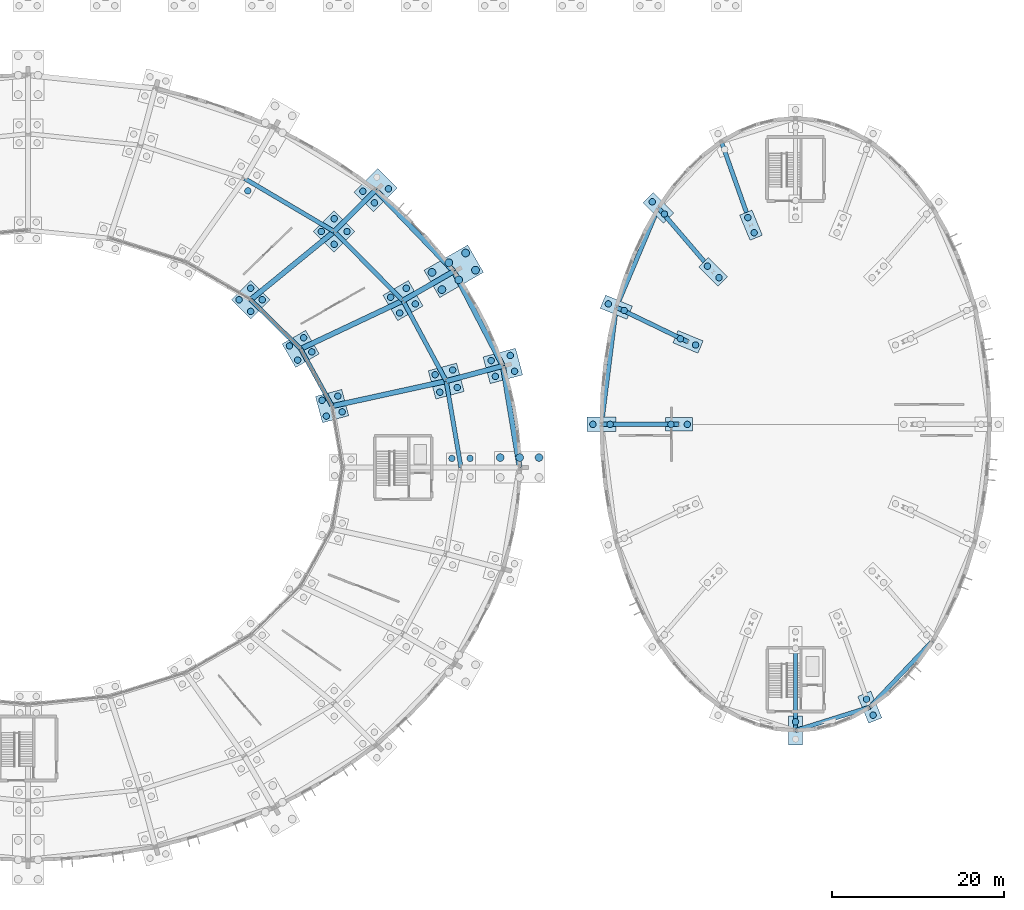
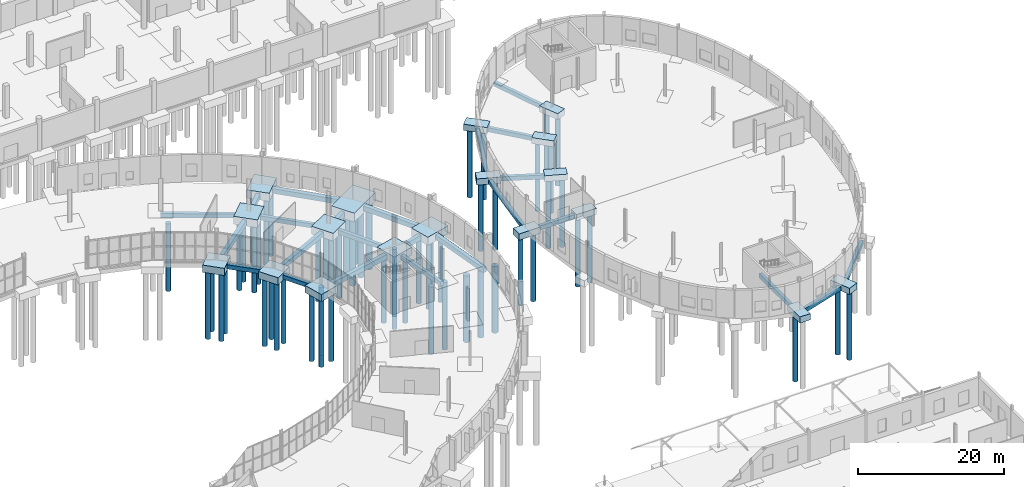
# One storey, part 8 of 118: 60 piles, 42 footings.
"""IFC4 building model written with IfcOpenShell, lengths in metres."""

from ifc_helpers import new_model, si_unit, direction, frame, origin, origin_2d, place, context, subcontext, project, spatial, rectangle, circle, extrude, material, material_profile, profile_set, type_object, element, save


model = new_model("IFC4")

# Units and contexts
model_context = context("Model", 3, precision=1e-05, world=origin(), true_north=direction((0.0, 1.0)))
body_context = subcontext(model_context, "Body", "Model", "MODEL_VIEW")
ifc_project = project(units=[si_unit("LENGTHUNIT", "METRE"), si_unit("AREAUNIT", "SQUARE_METRE"), si_unit("VOLUMEUNIT", "CUBIC_METRE"), si_unit("PLANEANGLEUNIT", "RADIAN"), si_unit("MASSUNIT", "GRAM", prefix="KILO")], contexts=[model_context])

# Site, building, storey
site_placement = place(None, origin())
site = spatial("IfcSite", under=ifc_project, at=site_placement, CompositionType="ELEMENT")
building_placement = place(site_placement, origin())
building = spatial("IfcBuilding", under=site, at=building_placement, Name="Kildeholm Park Wholesale Market", CompositionType="ELEMENT")
storey_placement = place(building_placement, origin())
storey = spatial("IfcBuildingStorey", under=building, at=storey_placement, Name="L00", CompositionType="ELEMENT", Elevation=0.0)

# Piles
ifc_material = material(Name="Concrete C35/45", Category="concrete")
ifc_material_profile_1 = material_profile(ifc_material, circle(Radius=0.375, at=origin_2d()), Name="PILE D750")
ifc_profile_set_1 = profile_set([ifc_material_profile_1], Name="Concrete C35/45")
pile_type_1 = type_object("IfcPileType", Name="Bored pile 750 mm", PredefinedType="BORED", material=ifc_profile_set_1)
for number, where, z_axis, x_axis, name in (
    (1, (148.14990234375, 90.550048828125, -1.199951171875), (0.0, 0.0, -1.0), (1.0, 0.0, 0.0), "Bored pile V1-MD-00.3 PIL-0007"),
    (2, (150.25, 90.550048828125, -1.199951171875), (0.0, 0.0, -1.0), (1.0, 0.0, 0.0), "Bored pile V1-MD-00.4 PIL-0008"),
):
    element("IfcPile", number, at=place(storey_placement, frame(where, z_axis=z_axis, x_axis=x_axis)), inside=storey, type_object=pile_type_1, Name=name, PredefinedType="BORED", context=body_context, shape_type="SweptSolid", body=[
        extrude(circle(Radius=0.375, at=origin_2d()), origin(), (0.0, 0.0, 1.0), 11.300048828125),
    ])
for number, where, z_axis, x_axis, name in (
    (3, (133.584228515625, 95.45458984375, -1.10009765625), (0.0, 0.0, -1.0), (1.0, 0.0, 0.0), "Bored pile V1-IN-01.1 PIL-0015"),
    (4, (135.41943359375, 95.9462890625, -1.10009765625), (0.0, 0.0, -1.0), (1.0, 0.0, 0.0), "Bored pile V1-IN-01.2 PIL-0016"),
    (5, (133.092529296875, 97.289794921875, -1.10009765625), (0.0, 0.0, -1.0), (1.0, 0.0, 0.0), "Bored pile V1-IN-01.3 PIL-0017"),
    (6, (134.927734375, 97.781494140625, -1.10009765625), (0.0, 0.0, -1.0), (1.0, 0.0, 0.0), "Bored pile V1-IN-01.4 PIL-0018"),
):
    element("IfcPile", number, at=place(storey_placement, frame(where, z_axis=z_axis, x_axis=x_axis)), inside=storey, type_object=pile_type_1, Name=name, PredefinedType="BORED", context=body_context, shape_type="SweptSolid", body=[
        extrude(circle(Radius=0.375, at=origin_2d()), origin(), (0.0, 0.0, 1.0), 11.39990234375),
    ])
for number, where, z_axis, x_axis, name in (
    (7, (146.74658203125, 98.22998046875, -1.199951171875), (0.0, 0.0, -1.0), (1.0, 0.0, 0.0), "Bored pile V1-MD-01.1 PIL-0019"),
    (8, (148.77490234375, 98.7734375, -1.199951171875), (0.0, 0.0, -1.0), (1.0, 0.0, 0.0), "Bored pile V1-MD-01.2 PIL-0020"),
    (9, (146.202880859375, 100.258544921875, -1.199951171875), (0.0, 0.0, -1.0), (1.0, 0.0, 0.0), "Bored pile V1-MD-01.3 PIL-0021"),
    (10, (148.2314453125, 100.802001953125, -1.199951171875), (0.0, 0.0, -1.0), (1.0, 0.0, 0.0), "Bored pile V1-MD-01.4 PIL-0022"),
):
    element("IfcPile", number, at=place(storey_placement, frame(where, z_axis=z_axis, x_axis=x_axis)), inside=storey, type_object=pile_type_1, Name=name, PredefinedType="BORED", context=body_context, shape_type="SweptSolid", body=[
        extrude(circle(Radius=0.375, at=origin_2d()), origin(), (0.0, 0.0, 1.0), 11.300048828125),
    ])
for number, where, z_axis, x_axis, name in (
    (11, (153.193115234375, 100.060791015625, -1.25), (0.0, 0.0, -1.0), (1.0, 0.0, 0.0), "Bored pile V1-OT-01.1 PIL-0023"),
    (12, (155.414794921875, 100.656005859375, -1.25), (0.0, 0.0, -1.0), (1.0, 0.0, 0.0), "Bored pile V1-OT-01.2 PIL-0024"),
    (13, (152.701416015625, 101.89599609375, -1.25), (0.0, 0.0, -1.0), (1.0, 0.0, 0.0), "Bored pile V1-OT-01.3 PIL-0025"),
    (14, (154.9228515625, 102.4912109375, -1.25), (0.0, 0.0, -1.0), (1.0, 0.0, 0.0), "Bored pile V1-OT-01.4 PIL-0026"),
):
    element("IfcPile", number, at=place(storey_placement, frame(where, z_axis=z_axis, x_axis=x_axis)), inside=storey, type_object=pile_type_1, Name=name, PredefinedType="BORED", context=body_context, shape_type="SweptSolid", body=[
        extrude(circle(Radius=0.375, at=origin_2d()), origin(), (0.0, 0.0, 1.0), 11.25),
    ])
for number, where, z_axis, x_axis, name in (
    (15, (130.26220703125, 101.952392578125, -1.10009765625), (0.0, 0.0, -1.0), (1.0, 0.0, 0.0), "Bored pile V1-IN-02.1 PIL-0027"),
    (16, (131.90771484375, 102.90234375, -1.10009765625), (0.0, 0.0, -1.0), (1.0, 0.0, 0.0), "Bored pile V1-IN-02.2 PIL-0028"),
    (17, (129.312255859375, 103.59765625, -1.10009765625), (0.0, 0.0, -1.0), (1.0, 0.0, 0.0), "Bored pile V1-IN-02.3 PIL-0029"),
    (18, (130.957763671875, 104.547607421875, -1.10009765625), (0.0, 0.0, -1.0), (1.0, 0.0, 0.0), "Bored pile V1-IN-02.4 PIL-0030"),
):
    element("IfcPile", number, at=place(storey_placement, frame(where, z_axis=z_axis, x_axis=x_axis)), inside=storey, type_object=pile_type_1, Name=name, PredefinedType="BORED", context=body_context, shape_type="SweptSolid", body=[
        extrude(circle(Radius=0.375, at=origin_2d()), origin(), (0.0, 0.0, 1.0), 11.39990234375),
    ])
for number, where, z_axis, x_axis, name in (
    (19, (142.089599609375, 107.415771484375, -1.199951171875), (0.0, 0.0, -1.0), (1.0, 0.0, 0.0), "Bored pile V1-MD-02.1 PIL-0031"),
    (20, (143.908203125, 108.4658203125, -1.199951171875), (0.0, 0.0, -1.0), (1.0, 0.0, 0.0), "Bored pile V1-MD-02.2 PIL-0032"),
    (21, (141.039794921875, 109.234375, -1.199951171875), (0.0, 0.0, -1.0), (1.0, 0.0, 0.0), "Bored pile V1-MD-02.3 PIL-0033"),
    (22, (142.8583984375, 110.2841796875, -1.199951171875), (0.0, 0.0, -1.0), (1.0, 0.0, 0.0), "Bored pile V1-MD-02.4 PIL-0034"),
):
    element("IfcPile", number, at=place(storey_placement, frame(where, z_axis=z_axis, x_axis=x_axis)), inside=storey, type_object=pile_type_1, Name=name, PredefinedType="BORED", context=body_context, shape_type="SweptSolid", body=[
        extrude(circle(Radius=0.375, at=origin_2d()), origin(), (0.0, 0.0, 1.0), 11.300048828125),
    ])
for number, where, z_axis, x_axis, name in (
    (23, (124.80908203125, 107.6015625, -1.10009765625), (0.0, 0.0, -1.0), (1.0, 0.0, 0.0), "Bored pile V1-IN-03.1 PIL-0041"),
    (24, (126.152587890625, 108.945068359375, -1.10009765625), (0.0, 0.0, -1.0), (1.0, 0.0, 0.0), "Bored pile V1-IN-03.2 PIL-0042"),
    (25, (123.465576171875, 108.945068359375, -1.10009765625), (0.0, 0.0, -1.0), (1.0, 0.0, 0.0), "Bored pile V1-IN-03.3 PIL-0043"),
    (26, (124.80908203125, 110.28857421875, -1.10009765625), (0.0, 0.0, -1.0), (1.0, 0.0, 0.0), "Bored pile V1-IN-03.4 PIL-0044"),
):
    element("IfcPile", number, at=place(storey_placement, frame(where, z_axis=z_axis, x_axis=x_axis)), inside=storey, type_object=pile_type_1, Name=name, PredefinedType="BORED", context=body_context, shape_type="SweptSolid", body=[
        extrude(circle(Radius=0.375, at=origin_2d()), origin(), (0.0, 0.0, 1.0), 11.39990234375),
    ])
for number, where, z_axis, x_axis, name in (
    (27, (134.4970703125, 115.380126953125, -1.199951171875), (0.0, 0.0, -1.0), (1.0, 0.0, 0.0), "Bored pile V1-MD-03.1 PIL-0045"),
    (28, (135.98193359375, 116.864990234375, -1.199951171875), (0.0, 0.0, -1.0), (1.0, 0.0, 0.0), "Bored pile V1-MD-03.2 PIL-0046"),
    (29, (133.01220703125, 116.864990234375, -1.199951171875), (0.0, 0.0, -1.0), (1.0, 0.0, 0.0), "Bored pile V1-MD-03.3 PIL-0047"),
    (30, (134.4970703125, 118.349853515625, -1.199951171875), (0.0, 0.0, -1.0), (1.0, 0.0, 0.0), "Bored pile V1-MD-03.4 PIL-0048"),
):
    element("IfcPile", number, at=place(storey_placement, frame(where, z_axis=z_axis, x_axis=x_axis)), inside=storey, type_object=pile_type_1, Name=name, PredefinedType="BORED", context=body_context, shape_type="SweptSolid", body=[
        extrude(circle(Radius=0.375, at=origin_2d()), origin(), (0.0, 0.0, 1.0), 11.300048828125),
    ])
for number, where, z_axis, x_axis, name in (
    (31, (139.16357421875, 120.18798828125, -1.25), (0.0, 0.0, -1.0), (1.0, 0.0, 0.0), "Bored pile V1-OT-03.1 PIL-0049"),
    (32, (140.789794921875, 121.814453125, -1.25), (0.0, 0.0, -1.0), (1.0, 0.0, 0.0), "Bored pile V1-OT-03.2 PIL-0050"),
    (33, (137.820068359375, 121.531494140625, -1.25), (0.0, 0.0, -1.0), (1.0, 0.0, 0.0), "Bored pile V1-OT-03.3 PIL-0051"),
):
    element("IfcPile", number, at=place(storey_placement, frame(where, z_axis=z_axis, x_axis=x_axis)), inside=storey, type_object=pile_type_1, Name=name, PredefinedType="BORED", context=body_context, shape_type="SweptSolid", body=[
        extrude(circle(Radius=0.375, at=origin_2d()), origin(), (0.0, 0.0, 1.0), 11.25),
    ])
pile_placement = place(storey_placement, frame((124.484375, 121.580810546875, -1.199951171875), z_axis=(0.0, 0.0, -1.0), x_axis=(1.0, 0.0, 0.0)))
element("IfcPile", 34, at=pile_placement, inside=storey, type_object=pile_type_1, Name="Bored pile V1-MD-04.1 PIL-0057", PredefinedType="BORED", context=body_context, shape_type="SweptSolid", body=[
    extrude(circle(Radius=0.375, at=origin_2d()), origin(), (0.0, 0.0, 1.0), 11.300048828125),
])
for number, where, z_axis, x_axis, name in (
    (35, (183.197509765625, 116.71923828125, -0.89990234375), (0.0, 0.0, -1.0), (1.0, 0.0, 0.0), "Bored pile V2-IN-05.1 PIL-0333"),
    (36, (182.470458984375, 118.474609375, -0.89990234375), (0.0, 0.0, -1.0), (1.0, 0.0, 0.0), "Bored pile V2-IN-05.2 PIL-0334"),
    (37, (179.125732421875, 111.506103515625, -0.89990234375), (0.0, 0.0, -1.0), (1.0, 0.0, 0.0), "Bored pile V2-IN-06.1 PIL-0337"),
    (38, (177.7822265625, 112.849853515625, -0.89990234375), (0.0, 0.0, -1.0), (1.0, 0.0, 0.0), "Bored pile V2-IN-06.2 PIL-0338"),
):
    element("IfcPile", number, at=place(storey_placement, frame(where, z_axis=z_axis, x_axis=x_axis)), inside=storey, type_object=pile_type_1, Name=name, PredefinedType="BORED", context=body_context, shape_type="SweptSolid", body=[
        extrude(circle(Radius=0.375, at=origin_2d()), origin(), (0.0, 0.0, 1.0), 11.60009765625),
    ])
for number, where, z_axis, x_axis, name in (
    (39, (172.797119140625, 118.89501953125, -0.949951171875), (0.0, 0.0, -1.0), (1.0, 0.0, 0.0), "Bored pile V2-OT-06.1 PIL-0339"),
    (40, (171.3828125, 120.30908203125, -0.949951171875), (0.0, 0.0, -1.0), (1.0, 0.0, 0.0), "Bored pile V2-OT-06.2 PIL-0340"),
):
    element("IfcPile", number, at=place(storey_placement, frame(where, z_axis=z_axis, x_axis=x_axis)), inside=storey, type_object=pile_type_1, Name=name, PredefinedType="BORED", context=body_context, shape_type="SweptSolid", body=[
        extrude(circle(Radius=0.375, at=origin_2d()), origin(), (0.0, 0.0, 1.0), 11.550048828125),
    ])
for number, where, z_axis, x_axis, name in (
    (41, (176.40576171875, 103.70361328125, -0.89990234375), (0.0, 0.0, -1.0), (1.0, 0.0, 0.0), "Bored pile V2-IN-07.1 PIL-0341"),
    (42, (174.650390625, 104.430419921875, -0.89990234375), (0.0, 0.0, -1.0), (1.0, 0.0, 0.0), "Bored pile V2-IN-07.2 PIL-0342"),
):
    element("IfcPile", number, at=place(storey_placement, frame(where, z_axis=z_axis, x_axis=x_axis)), inside=storey, type_object=pile_type_1, Name=name, PredefinedType="BORED", context=body_context, shape_type="SweptSolid", body=[
        extrude(circle(Radius=0.375, at=origin_2d()), origin(), (0.0, 0.0, 1.0), 11.60009765625),
    ])
for number, where, z_axis, x_axis, name in (
    (43, (168.136962890625, 107.702392578125, -0.949951171875), (0.0, 0.0, -1.0), (1.0, 0.0, 0.0), "Bored pile V2-OT-07.1 PIL-0343"),
    (44, (166.2890625, 108.4677734375, -0.949951171875), (0.0, 0.0, -1.0), (1.0, 0.0, 0.0), "Bored pile V2-OT-07.2 PIL-0344"),
):
    element("IfcPile", number, at=place(storey_placement, frame(where, z_axis=z_axis, x_axis=x_axis)), inside=storey, type_object=pile_type_1, Name=name, PredefinedType="BORED", context=body_context, shape_type="SweptSolid", body=[
        extrude(circle(Radius=0.375, at=origin_2d()), origin(), (0.0, 0.0, 1.0), 11.550048828125),
    ])
for number, where, z_axis, x_axis, name in (
    (45, (175.449951171875, 94.5, -0.89990234375), (0.0, 0.0, -1.0), (1.0, 0.0, 0.0), "Bored pile V2-IN-08.1 PIL-0345"),
    (46, (173.550048828125, 94.5, -0.89990234375), (0.0, 0.0, -1.0), (1.0, 0.0, 0.0), "Bored pile V2-IN-08.2 PIL-0346"),
):
    element("IfcPile", number, at=place(storey_placement, frame(where, z_axis=z_axis, x_axis=x_axis)), inside=storey, type_object=pile_type_1, Name=name, PredefinedType="BORED", context=body_context, shape_type="SweptSolid", body=[
        extrude(circle(Radius=0.375, at=origin_2d()), origin(), (0.0, 0.0, 1.0), 11.60009765625),
    ])
for number, where, z_axis, x_axis, name in (
    (47, (166.5, 94.5, -0.949951171875), (0.0, 0.0, -1.0), (1.0, 0.0, 0.0), "Bored pile V2-OT-08.1 PIL-0347"),
    (48, (164.5, 94.5, -0.949951171875), (0.0, 0.0, -1.0), (1.0, 0.0, 0.0), "Bored pile V2-OT-08.2 PIL-0348"),
    (49, (188.0, 60.0, -0.949951171875), (0.0, 0.0, -1.0), (1.0, 0.0, 0.0), "Bored pile V2-OT-12.1 PIL-0363"),
    (50, (196.227294921875, 62.6259765625, -0.949951171875), (0.0, 0.0, -1.0), (1.0, 0.0, 0.0), "Bored pile V2-OT-13.1 PIL-0367"),
    (51, (196.99267578125, 60.778076171875, -0.949951171875), (0.0, 0.0, -1.0), (1.0, 0.0, 0.0), "Bored pile V2-OT-13.2 PIL-0368"),
):
    element("IfcPile", number, at=place(storey_placement, frame(where, z_axis=z_axis, x_axis=x_axis)), inside=storey, type_object=pile_type_1, Name=name, PredefinedType="BORED", context=body_context, shape_type="SweptSolid", body=[
        extrude(circle(Radius=0.375, at=origin_2d()), origin(), (0.0, 0.0, 1.0), 11.550048828125),
    ])
ifc_material_profile_2 = material_profile(ifc_material, circle(Radius=0.449951171875, at=origin_2d()), Name="PILE D900")
ifc_profile_set_2 = profile_set([ifc_material_profile_2], Name="Concrete C35/45")
pile_type_2 = type_object("IfcPileType", Name="Bored pile 900 mm", PredefinedType="BORED", material=ifc_profile_set_2)
for number, where, z_axis, x_axis, name in (
    (52, (153.75, 90.64990234375, -1.35009765625), (0.0, 0.0, -1.0), (1.0, 0.0, 0.0), "Bored pile V1-OT-00.4 PIL-0012"),
    (53, (156.0, 90.64990234375, -1.35009765625), (0.0, 0.0, -1.0), (1.0, 0.0, 0.0), "Bored pile V1-OT-00.5 PIL-0013"),
    (54, (158.25, 90.64990234375, -1.35009765625), (0.0, 0.0, -1.0), (1.0, 0.0, 0.0), "Bored pile V1-OT-00.6 PIL-0014"),
    (55, (146.989501953125, 110.129150390625, -1.35009765625), (0.0, 0.0, -1.0), (1.0, 0.0, 0.0), "Bored pile V1-OT-02.1 PIL-0035"),
    (56, (148.93798828125, 111.254150390625, -1.35009765625), (0.0, 0.0, -1.0), (1.0, 0.0, 0.0), "Bored pile V1-OT-02.2 PIL-0036"),
    (57, (150.88671875, 112.379150390625, -1.35009765625), (0.0, 0.0, -1.0), (1.0, 0.0, 0.0), "Bored pile V1-OT-02.3 PIL-0037"),
    (58, (145.83935546875, 112.120849609375, -1.35009765625), (0.0, 0.0, -1.0), (1.0, 0.0, 0.0), "Bored pile V1-OT-02.4 PIL-0038"),
    (59, (147.7880859375, 113.245849609375, -1.35009765625), (0.0, 0.0, -1.0), (1.0, 0.0, 0.0), "Bored pile V1-OT-02.5 PIL-0039"),
    (60, (149.736572265625, 114.370849609375, -1.35009765625), (0.0, 0.0, -1.0), (1.0, 0.0, 0.0), "Bored pile V1-OT-02.6 PIL-0040"),
):
    element("IfcPile", number, at=place(storey_placement, frame(where, z_axis=z_axis, x_axis=x_axis)), inside=storey, type_object=pile_type_2, Name=name, PredefinedType="BORED", context=body_context, shape_type="SweptSolid", body=[
        extrude(circle(Radius=0.449951171875, at=origin_2d()), origin(), (0.0, 0.0, 1.0), 11.14990234375),
    ])

# Footings
ifc_material_profile_3 = material_profile(ifc_material, rectangle(XDim=0.5, YDim=0.699951171875, at=origin_2d()), Name="FB 500x700")
ifc_profile_set_3 = profile_set([ifc_material_profile_3], Name="Concrete C35/45")
footing_type_1 = type_object("IfcFootingType", Name="Ground tie beam GB-1 FB 500x700", PredefinedType="FOOTING_BEAM", material=ifc_profile_set_3)
footing_1_placement = place(storey_placement, frame((149.199951171875, 89.5, -0.64990234375), z_axis=(-0.168379597692, 0.985722228156, 0.0), x_axis=(-0.985722228156, -0.168379597692, 0.0)))
element("IfcFooting", 61, at=footing_1_placement, inside=storey, type_object=footing_type_1, Name="Ground tie beam GB-V1-CMD-00 FTG-0076", PredefinedType="FOOTING_BEAM", context=body_context, shape_type="SweptSolid", body=[
    extrude(rectangle(XDim=0.5, YDim=0.699951171875, at=origin_2d()), origin(), (0.0, 0.0, 1.0), 10.1611328125),
])
footing_2_placement = place(storey_placement, frame((134.256103515625, 96.617919921875, -0.64990234375), z_axis=(-0.481751565348, 0.876307839338, 0.0), x_axis=(-0.876307839338, -0.481751565348, 0.0)))
element("IfcFooting", 62, at=footing_2_placement, inside=storey, type_object=footing_type_1, Name="Ground tie beam GB-V1-CIN-01 FTG-0080", PredefinedType="FOOTING_BEAM", context=body_context, shape_type="SweptSolid", body=[
    extrude(rectangle(XDim=0.5, YDim=0.699951171875, at=origin_2d()), origin(), (0.0, 0.0, 1.0), 7.568115234375),
])
footing_3_placement = place(storey_placement, frame((147.489013671875, 99.51611328125, -0.64990234375), z_axis=(-0.473287580572, 0.880907978211, 0.0), x_axis=(-0.880907978211, -0.473287580572, 0.0)))
element("IfcFooting", 63, at=footing_3_placement, inside=storey, type_object=footing_type_1, Name="Ground tie beam GB-V1-CMD-01 FTG-0081", PredefinedType="FOOTING_BEAM", context=body_context, shape_type="SweptSolid", body=[
    extrude(rectangle(XDim=0.5, YDim=0.699951171875, at=origin_2d()), origin(), (0.0, 0.0, 1.0), 10.595947265625),
])
footing_4_placement = place(storey_placement, frame((130.610107421875, 103.25, -0.64990234375), z_axis=(-0.713593723838, 0.700559774251, 0.0), x_axis=(-0.700559774251, -0.713593723838, 0.0)))
element("IfcFooting", 64, at=footing_4_placement, inside=storey, type_object=footing_type_1, Name="Ground tie beam GB-V1-CIN-02 FTG-0085", PredefinedType="FOOTING_BEAM", context=body_context, shape_type="SweptSolid", body=[
    extrude(rectangle(XDim=0.5, YDim=0.699951171875, at=origin_2d()), origin(), (0.0, 0.0, 1.0), 8.12939453125),
])
footing_5_placement = place(storey_placement, frame((142.47412109375, 108.85009765625, -0.64990234375), z_axis=(-0.705431576708, 0.708778026313, 0.0), x_axis=(-0.708778026313, -0.705431576708, 0.0)))
element("IfcFooting", 65, at=footing_5_placement, inside=storey, type_object=footing_type_1, Name="Ground tie beam GB-V1-CMD-02 FTG-0086", PredefinedType="FOOTING_BEAM", context=body_context, shape_type="SweptSolid", body=[
    extrude(rectangle(XDim=0.5, YDim=0.699951171875, at=origin_2d()), origin(), (0.0, 0.0, 1.0), 11.30810546875),
])
footing_6_placement = place(storey_placement, frame((134.4970703125, 116.864990234375, -0.64990234375), z_axis=(-0.860700316594, 0.509111937609, 0.0), x_axis=(-0.509111937609, -0.860700316594, 0.0)))
element("IfcFooting", 66, at=footing_6_placement, inside=storey, type_object=footing_type_1, Name="Ground tie beam GB-V1-CMD-03 FTG-0091", PredefinedType="FOOTING_BEAM", context=body_context, shape_type="SweptSolid", body=[
    extrude(rectangle(XDim=0.5, YDim=0.699951171875, at=origin_2d()), origin(), (0.0, 0.0, 1.0), 12.07958984375),
])
footing_7_placement = place(storey_placement, frame((182.833984375, 117.596923828125, -0.64990234375), z_axis=(-0.334560005007, 0.942374449489, 0.0), x_axis=(-0.942374449489, -0.334560005007, 0.0)))
element("IfcFooting", 67, at=footing_7_placement, inside=storey, type_object=footing_type_1, Name="Ground tie beam GB-V2-RAD-05 FTG-0215", PredefinedType="FOOTING_BEAM", context=body_context, shape_type="SweptSolid", body=[
    extrude(rectangle(XDim=0.5, YDim=0.699951171875, at=origin_2d()), origin(), (0.0, 0.0, 1.0), 10.29443359375),
])
footing_8_placement = place(storey_placement, frame((178.4541015625, 112.177978515625, -0.64990234375), z_axis=(-0.650822214859, 0.75923016579, 0.0), x_axis=(-0.75923016579, -0.650822214859, 0.0)))
element("IfcFooting", 68, at=footing_8_placement, inside=storey, type_object=footing_type_1, Name="Ground tie beam GB-V2-RAD-06 FTG-0219", PredefinedType="FOOTING_BEAM", context=body_context, shape_type="SweptSolid", body=[
    extrude(rectangle(XDim=0.5, YDim=0.699951171875, at=origin_2d()), origin(), (0.0, 0.0, 1.0), 9.7783203125),
])
footing_9_placement = place(storey_placement, frame((172.090087890625, 119.60205078125, -0.64990234375), z_axis=(-0.389950720924, -0.920835726528, 0.0), x_axis=(0.920835726528, -0.389950720924, 0.0)))
element("IfcFooting", 69, at=footing_9_placement, inside=storey, type_object=footing_type_1, Name="Ground tie beam GB-V2-COT-06 FTG-0220", PredefinedType="FOOTING_BEAM", context=body_context, shape_type="SweptSolid", body=[
    extrude(rectangle(XDim=0.5, YDim=0.699951171875, at=origin_2d()), origin(), (0.0, 0.0, 1.0), 12.50732421875),
])
footing_10_placement = place(storey_placement, frame((175.528076171875, 104.06689453125, -0.64990234375), z_axis=(-0.900388826514, 0.435086153639, 0.0), x_axis=(-0.435086153639, -0.900388826514, 0.0)))
element("IfcFooting", 70, at=footing_10_placement, inside=storey, type_object=footing_type_1, Name="Ground tie beam GB-V2-RAD-07 FTG-0223", PredefinedType="FOOTING_BEAM", context=body_context, shape_type="SweptSolid", body=[
    extrude(rectangle(XDim=0.5, YDim=0.699951171875, at=origin_2d()), origin(), (0.0, 0.0, 1.0), 9.235107421875),
])
footing_11_placement = place(storey_placement, frame((167.212890625, 108.0849609375, -0.64990234375), z_axis=(-0.125096795787, -0.99214454173, 0.0), x_axis=(0.99214454173, -0.125096795787, 0.0)))
element("IfcFooting", 71, at=footing_11_placement, inside=storey, type_object=footing_type_1, Name="Ground tie beam GB-V2-COT-07 FTG-0224", PredefinedType="FOOTING_BEAM", context=body_context, shape_type="SweptSolid", body=[
    extrude(rectangle(XDim=0.5, YDim=0.699951171875, at=origin_2d()), origin(), (0.0, 0.0, 1.0), 13.692626953125),
])
footing_12_placement = place(storey_placement, frame((174.5, 94.5, -0.64990234375), z_axis=(-1.0, 0.0, 0.0), x_axis=(0.0, -1.0, 0.0)))
element("IfcFooting", 72, at=footing_12_placement, inside=storey, type_object=footing_type_1, Name="Ground tie beam GB-V2-RAD-08 FTG-0227", PredefinedType="FOOTING_BEAM", context=body_context, shape_type="SweptSolid", body=[
    extrude(rectangle(XDim=0.5, YDim=0.699951171875, at=origin_2d()), origin(), (0.0, 0.0, 1.0), 9.0),
])
footing_13_placement = place(storey_placement, frame((188.0, 69.5, -0.64990234375), z_axis=(0.0, -1.0, 0.0), x_axis=(1.0, 0.0, 0.0)))
element("IfcFooting", 73, at=footing_13_placement, inside=storey, type_object=footing_type_1, Name="Ground tie beam GB-V2-RAD-12 FTG-0243", PredefinedType="FOOTING_BEAM", context=body_context, shape_type="SweptSolid", body=[
    extrude(rectangle(XDim=0.5, YDim=0.699951171875, at=origin_2d()), origin(), (0.0, 0.0, 1.0), 10.5),
])
footing_14_placement = place(storey_placement, frame((188.0, 59.0, -0.64990234375), z_axis=(0.954124515816, 0.299410100562, 0.0), x_axis=(-0.299410100562, 0.954124515816, 0.0)))
element("IfcFooting", 74, at=footing_14_placement, inside=storey, type_object=footing_type_1, Name="Ground tie beam GB-V2-COT-12 FTG-0244", PredefinedType="FOOTING_BEAM", context=body_context, shape_type="SweptSolid", body=[
    extrude(rectangle(XDim=0.5, YDim=0.699951171875, at=origin_2d()), origin(), (0.0, 0.0, 1.0), 9.024169921875),
])
footing_15_placement = place(storey_placement, frame((196.610107421875, 61.701904296875, -0.64990234375), z_axis=(0.688182467753, 0.725537656554, 0.0), x_axis=(-0.725537656554, 0.688182467753, 0.0)))
element("IfcFooting", 75, at=footing_15_placement, inside=storey, type_object=footing_type_1, Name="Ground tie beam GB-V2-COT-13 FTG-0248", PredefinedType="FOOTING_BEAM", context=body_context, shape_type="SweptSolid", body=[
    extrude(rectangle(XDim=0.5, YDim=0.699951171875, at=origin_2d()), origin(), (0.0, 0.0, 1.0), 10.607421875),
])
ifc_material_profile_4 = material_profile(ifc_material, rectangle(XDim=0.60009765625, YDim=0.800048828125, at=origin_2d()), Name="FB 600x800")
ifc_profile_set_4 = profile_set([ifc_material_profile_4], Name="Concrete C35/45")
footing_type_2 = type_object("IfcFootingType", Name="Ground tie beam GB-2 FB 600x800", PredefinedType="FOOTING_BEAM", material=ifc_profile_set_4)
footing_16_placement = place(storey_placement, frame((156.0, 89.5, -0.699951171875), z_axis=(-0.162706979486, 0.98667443406, 0.0), x_axis=(-0.98667443406, -0.162706979486, 0.0)))
element("IfcFooting", 76, at=footing_16_placement, inside=storey, type_object=footing_type_2, Name="Ground tie beam GB-V1-COT-00 FTG-0077", PredefinedType="FOOTING_BEAM", context=body_context, shape_type="SweptSolid", body=[
    extrude(rectangle(XDim=0.60009765625, YDim=0.800048828125, at=origin_2d()), origin(), (0.0, 0.0, 1.0), 11.934814453125),
])
footing_17_placement = place(storey_placement, frame((134.256103515625, 96.617919921875, -0.699951171875), z_axis=(0.976846137752, 0.213943037181, 0.0), x_axis=(-0.213943037181, 0.976846137752, 0.0)))
element("IfcFooting", 77, at=footing_17_placement, inside=storey, type_object=footing_type_2, Name="Ground tie beam GB-V1-RAD1-01 FTG-0078", PredefinedType="FOOTING_BEAM", context=body_context, shape_type="SweptSolid", body=[
    extrude(rectangle(XDim=0.60009765625, YDim=0.800048828125, at=origin_2d()), origin(), (0.0, 0.0, 1.0), 13.546630859375),
])
footing_18_placement = place(storey_placement, frame((147.489013671875, 99.51611328125, -0.699951171875), z_axis=(0.965941161837, 0.258761805275, 0.0), x_axis=(-0.258761805275, 0.965941161837, 0.0)))
element("IfcFooting", 78, at=footing_18_placement, inside=storey, type_object=footing_type_2, Name="Ground tie beam GB-V1-RAD2-01 FTG-0079", PredefinedType="FOOTING_BEAM", context=body_context, shape_type="SweptSolid", body=[
    extrude(rectangle(XDim=0.60009765625, YDim=0.800048828125, at=origin_2d()), origin(), (0.0, 0.0, 1.0), 6.80078125),
])
footing_19_placement = place(storey_placement, frame((154.05810546875, 101.27587890625, -0.699951171875), z_axis=(-0.460622041592, 0.887596380569, 0.0), x_axis=(-0.887596380569, -0.460622041592, 0.0)))
element("IfcFooting", 79, at=footing_19_placement, inside=storey, type_object=footing_type_2, Name="Ground tie beam GB-V1-COT-01 FTG-0082", PredefinedType="FOOTING_BEAM", context=body_context, shape_type="SweptSolid", body=[
    extrude(rectangle(XDim=0.60009765625, YDim=0.800048828125, at=origin_2d()), origin(), (0.0, 0.0, 1.0), 12.36376953125),
])
footing_20_placement = place(storey_placement, frame((130.610107421875, 103.25, -0.699951171875), z_axis=(0.904317894242, 0.426859632846, 0.0), x_axis=(-0.426859632846, 0.904317894242, 0.0)))
element("IfcFooting", 80, at=footing_20_placement, inside=storey, type_object=footing_type_2, Name="Ground tie beam GB-V1-RAD1-02 FTG-0083", PredefinedType="FOOTING_BEAM", context=body_context, shape_type="SweptSolid", body=[
    extrude(rectangle(XDim=0.60009765625, YDim=0.800048828125, at=origin_2d()), origin(), (0.0, 0.0, 1.0), 13.119384765625),
])
footing_21_placement = place(storey_placement, frame((142.47412109375, 108.85009765625, -0.699951171875), z_axis=(0.866029536736, 0.499992841449, 0.0), x_axis=(-0.499992841449, 0.866029536736, 0.0)))
element("IfcFooting", 81, at=footing_21_placement, inside=storey, type_object=footing_type_2, Name="Ground tie beam GB-V1-RAD2-02 FTG-0084", PredefinedType="FOOTING_BEAM", context=body_context, shape_type="SweptSolid", body=[
    extrude(rectangle(XDim=0.60009765625, YDim=0.800048828125, at=origin_2d()), origin(), (0.0, 0.0, 1.0), 6.7998046875),
])
footing_22_placement = place(storey_placement, frame((148.363037109375, 112.25, -0.699951171875), z_axis=(-0.693006803532, 0.720931044039, 0.0), x_axis=(-0.720931044039, -0.693006803532, 0.0)))
element("IfcFooting", 82, at=footing_22_placement, inside=storey, type_object=footing_type_2, Name="Ground tie beam GB-V1-COT-02 FTG-0087", PredefinedType="FOOTING_BEAM", context=body_context, shape_type="SweptSolid", body=[
    extrude(rectangle(XDim=0.60009765625, YDim=0.800048828125, at=origin_2d()), origin(), (0.0, 0.0, 1.0), 13.07080078125),
])
footing_23_placement = place(storey_placement, frame((124.80908203125, 108.945068359375, -0.699951171875), z_axis=(0.774216280002, 0.632921126034, 0.0), x_axis=(-0.632921126034, 0.774216280002, 0.0)))
element("IfcFooting", 83, at=footing_23_placement, inside=storey, type_object=footing_type_2, Name="Ground tie beam GB-V1-RAD1-03 FTG-0088", PredefinedType="FOOTING_BEAM", context=body_context, shape_type="SweptSolid", body=[
    extrude(rectangle(XDim=0.60009765625, YDim=0.800048828125, at=origin_2d()), origin(), (0.0, 0.0, 1.0), 12.51318359375),
])
footing_24_placement = place(storey_placement, frame((134.4970703125, 116.864990234375, -0.699951171875), z_axis=(0.707088828163, 0.707124733755, 0.0), x_axis=(-0.707124733755, 0.707088828163, 0.0)))
element("IfcFooting", 84, at=footing_24_placement, inside=storey, type_object=footing_type_2, Name="Ground tie beam GB-V1-RAD2-03 FTG-0089", PredefinedType="FOOTING_BEAM", context=body_context, shape_type="SweptSolid", body=[
    extrude(rectangle(XDim=0.60009765625, YDim=0.800048828125, at=origin_2d()), origin(), (0.0, 0.0, 1.0), 6.799560546875),
])
footing_type_3 = type_object("IfcFootingType", Name="Pile cap PC-2B 3150x1550x1000", PredefinedType="PILE_CAP", material=ifc_material)
for number, where, z_axis, x_axis, name in (
    (85, (182.833984375, 117.596923828125, -1.0), (0.0, 0.0, 1.0), (-0.382683432365, 0.923879532511, 0.0), "Pile cap V2-IN-05 FTG-0213"),
    (86, (178.4541015625, 112.177978515625, -1.0), (0.0, 0.0, 1.0), (-0.707106781187, 0.707106781187, 0.0), "Pile cap V2-IN-06 FTG-0217"),
    (87, (175.528076171875, 104.06689453125, -1.0), (0.0, 0.0, 1.0), (-0.923879532511, 0.382683432365, 0.0), "Pile cap V2-IN-07 FTG-0221"),
    (88, (174.5, 94.5, -1.0), (0.0, 0.0, 1.0), (-1.0, 0.0, 0.0), "Pile cap V2-IN-08 FTG-0225"),
):
    element("IfcFooting", number, at=place(storey_placement, frame(where, z_axis=z_axis, x_axis=x_axis)), inside=storey, type_object=footing_type_3, Name=name, PredefinedType="PILE_CAP", context=body_context, shape_type="SweptSolid", body=[
        extrude(rectangle(XDim=3.14990234375, YDim=1.550048828125, at=origin_2d()), origin(), (0.0, 0.0, 1.0), 1.0),
    ])
footing_type_4 = type_object("IfcFootingType", Name="Pile cap PC-2C 3350x1650x1050", PredefinedType="PILE_CAP", material=ifc_material)
for number, where, z_axis, x_axis, name in (
    (89, (172.090087890625, 119.60205078125, -1.0498046875), (0.0, 0.0, 1.0), (-0.707106781187, 0.707106781187, 0.0), "Pile cap V2-OT-06 FTG-0218"),
    (90, (167.212890625, 108.0849609375, -1.0498046875), (0.0, 0.0, 1.0), (-0.923879532511, 0.382683432365, 0.0), "Pile cap V2-OT-07 FTG-0222"),
    (91, (165.5, 94.5, -1.0498046875), (0.0, 0.0, 1.0), (-1.0, 0.0, 0.0), "Pile cap V2-OT-08 FTG-0226"),
    (92, (188.0, 59.0, -1.0498046875), (0.0, 0.0, 1.0), (0.0, -1.0, 0.0), "Pile cap V2-OT-12 FTG-0242"),
    (93, (196.610107421875, 61.701904296875, -1.0498046875), (0.0, 0.0, 1.0), (0.382683432365, -0.923879532511, 0.0), "Pile cap V2-OT-13 FTG-0246"),
):
    element("IfcFooting", number, at=place(storey_placement, frame(where, z_axis=z_axis, x_axis=x_axis)), inside=storey, type_object=footing_type_4, Name=name, PredefinedType="PILE_CAP", context=body_context, shape_type="SweptSolid", body=[
        extrude(rectangle(XDim=3.35009765625, YDim=1.64990234375, at=origin_2d()), origin(), (0.0, 0.0, 1.0), 1.050048828125),
    ])
footing_type_5 = type_object("IfcFootingType", Name="Pile cap PC-4B 3150x3150x1200", PredefinedType="PILE_CAP", material=ifc_material)
for number, where, z_axis, x_axis, name in (
    (94, (134.256103515625, 96.617919921875, -1.2001953125), (0.0, 0.0, 1.0), (0.965925826289, 0.258819045103, 0.0), "Pile cap V1-IN-01 FTG-0004"),
    (95, (130.610107421875, 103.25, -1.2001953125), (0.0, 0.0, 1.0), (0.866025403784, 0.5, 0.0), "Pile cap V1-IN-02 FTG-0007"),
    (96, (124.80908203125, 108.945068359375, -1.2001953125), (0.0, 0.0, 1.0), (0.707106781187, 0.707106781187, 0.0), "Pile cap V1-IN-03 FTG-0010"),
):
    element("IfcFooting", number, at=place(storey_placement, frame(where, z_axis=z_axis, x_axis=x_axis)), inside=storey, type_object=footing_type_5, Name=name, PredefinedType="PILE_CAP", context=body_context, shape_type="SweptSolid", body=[
        extrude(rectangle(XDim=3.14990234375, YDim=3.14990234375, at=origin_2d()), origin(), (0.0, 0.0, 1.0), 1.199951171875),
    ])
footing_type_6 = type_object("IfcFootingType", Name="Pile cap PC-4C 3400x3400x1300", PredefinedType="PILE_CAP", material=ifc_material)
for number, where, z_axis, x_axis, name in (
    (97, (147.489013671875, 99.51611328125, -1.2998046875), (0.0, 0.0, 1.0), (0.965925826289, 0.258819045103, 0.0), "Pile cap V1-MD-01 FTG-0005"),
    (98, (142.47412109375, 108.85009765625, -1.2998046875), (0.0, 0.0, 1.0), (0.866025403784, 0.5, 0.0), "Pile cap V1-MD-02 FTG-0008"),
    (99, (134.4970703125, 116.864990234375, -1.2998046875), (0.0, 0.0, 1.0), (0.707106781187, 0.707106781187, 0.0), "Pile cap V1-MD-03 FTG-0011"),
):
    element("IfcFooting", number, at=place(storey_placement, frame(where, z_axis=z_axis, x_axis=x_axis)), inside=storey, type_object=footing_type_6, Name=name, PredefinedType="PILE_CAP", context=body_context, shape_type="SweptSolid", body=[
        extrude(rectangle(XDim=3.39990234375, YDim=3.39990234375, at=origin_2d()), origin(), (0.0, 0.0, 1.0), 1.300048828125),
    ])
footing_type_7 = type_object("IfcFootingType", Name="Pile cap PC-4E 3900x3200x1350", PredefinedType="PILE_CAP", material=ifc_material)
for number, where, z_axis, x_axis, name in (
    (100, (154.05810546875, 101.27587890625, -1.35009765625), (0.0, 0.0, 1.0), (0.965925826289, 0.258819045103, 0.0), "Pile cap V1-OT-01 FTG-0006"),
    (101, (139.304931640625, 121.673095703125, -1.35009765625), (0.0, 0.0, 1.0), (0.707106781187, 0.707106781187, 0.0), "Pile cap V1-OT-03 FTG-0012"),
):
    element("IfcFooting", number, at=place(storey_placement, frame(where, z_axis=z_axis, x_axis=x_axis)), inside=storey, type_object=footing_type_7, Name=name, PredefinedType="PILE_CAP", context=body_context, shape_type="SweptSolid", body=[
        extrude(rectangle(XDim=3.89990234375, YDim=3.199951171875, at=origin_2d()), origin(), (0.0, 0.0, 1.0), 1.35009765625),
    ])
footing_type_8 = type_object("IfcFootingType", Name="Pile cap PC-6A 5850x3650x1450", PredefinedType="PILE_CAP", material=ifc_material)
footing_25_placement = place(storey_placement, frame((148.363037109375, 112.25, -1.4501953125), z_axis=(0.0, 0.0, 1.0), x_axis=(0.866025403784, 0.5, 0.0)))
element("IfcFooting", 102, at=footing_25_placement, inside=storey, type_object=footing_type_8, Name="Pile cap V1-OT-02 FTG-0009", PredefinedType="PILE_CAP", context=body_context, shape_type="SweptSolid", body=[
    extrude(rectangle(XDim=5.85009765625, YDim=3.64990234375, at=origin_2d()), origin(), (0.0, 0.0, 1.0), 1.449951171875),
])

save(model, "model.ifc")
